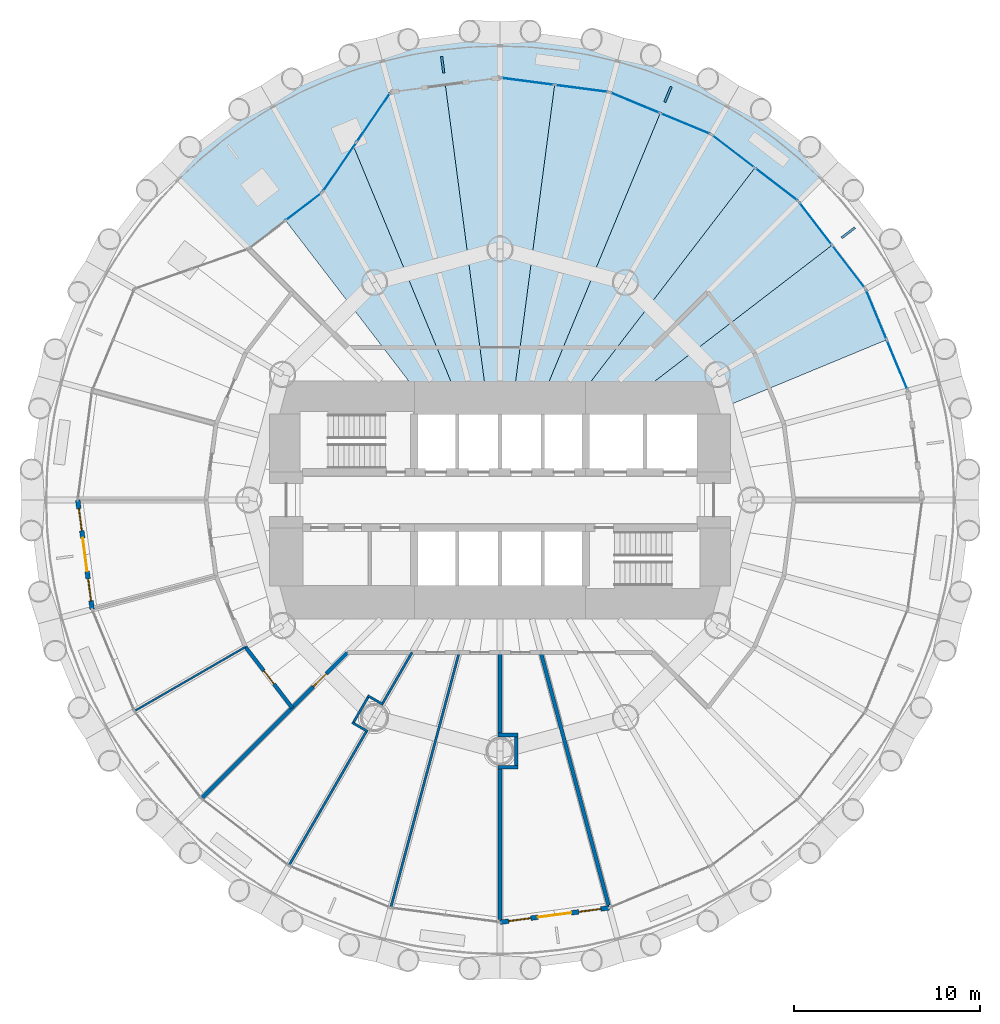
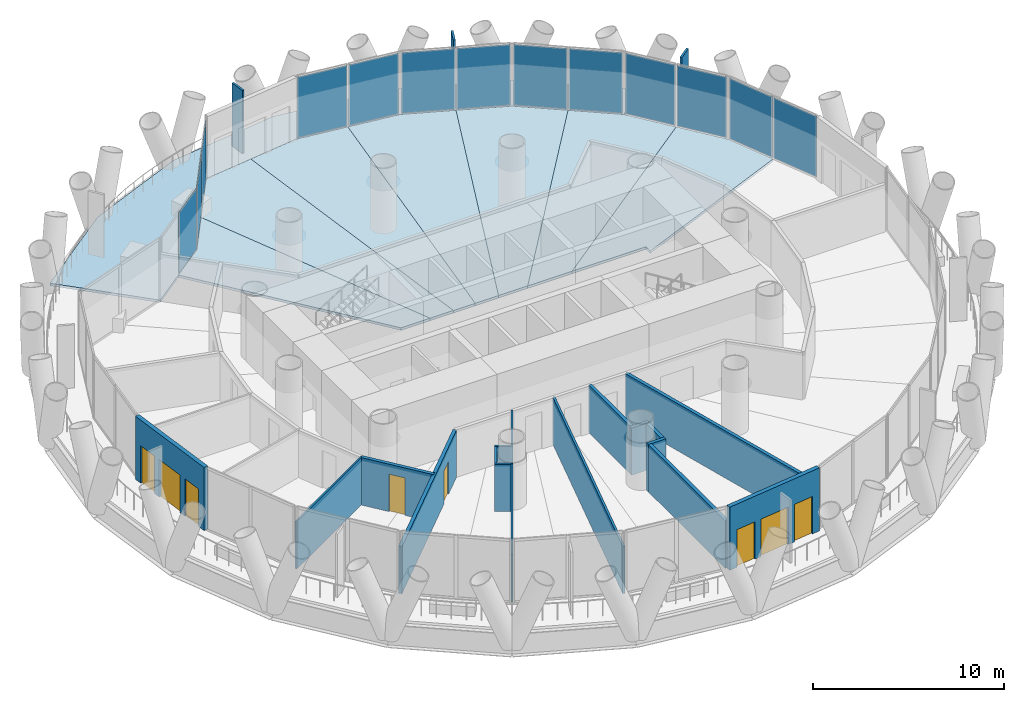
# One storey, part 8 of 14: 17 walls, 16 plates, 8 slabs, 4 doors, 4 windows, 8 openings, 7 elements without a shape of their own.
"""IFC4 building model written with IfcOpenShell, lengths in metres."""

from ifc_helpers import new_model, si_unit, direction, frame, frame_2d, origin, origin_2d, place, context, subcontext, project, spatial, polyline, rectangle, outline, extrude, material, layer, layer_set, type_object, element, fill, aggregate, save


model = new_model("IFC4")

# Units and contexts
model_context = context("Model", 3, precision=1e-05, world=origin(), true_north=direction((0.0, 1.0)))
body_context = subcontext(model_context, "Body", "Model", "MODEL_VIEW")
ifc_project = project(units=[si_unit("LENGTHUNIT", "METRE"), si_unit("AREAUNIT", "SQUARE_METRE"), si_unit("VOLUMEUNIT", "CUBIC_METRE"), si_unit("PLANEANGLEUNIT", "RADIAN"), si_unit("MASSUNIT", "GRAM", prefix="KILO")], contexts=[model_context])

# Site, building, storey
site_placement = place(None, origin())
site = spatial("IfcSite", under=ifc_project, at=site_placement, CompositionType="ELEMENT")
building_placement = place(site_placement, origin())
building = spatial("IfcBuilding", under=site, at=building_placement, Name="Qaws Media Tower", CompositionType="ELEMENT")
storey_placement = place(building_placement, frame((0.0, 0.0, 59.60009765625)))
storey = spatial("IfcBuildingStorey", under=building, at=storey_placement, Name="L12", CompositionType="ELEMENT", Elevation=59.60009765625)

# Slabs
ifc_material_1 = material(Name="Concrete C35/45", Category="concrete")
ifc_layer_1 = layer(ifc_material_1, 0.159912109375)
ifc_layer_set_1 = layer_set([ifc_layer_1], Name="Composite balcony slab 160")
slab_type_1 = type_object("IfcSlabType", Name="Composite balcony slab 160", PredefinedType="FLOOR", material=ifc_layer_set_1)
slab_1_placement = place(storey_placement, frame((0.0, 0.0, -0.16015625)))
element("IfcSlab", 1, at=slab_1_placement, inside=storey, type_object=slab_type_1, Name="S2 balcony slab L12 R04 to R10, movement joints on R04 and R10", PredefinedType="FLOOR", context=body_context, shape_type="SweptSolid", body=[
    extrude(outline(polyline([(47.449951171875, 71.7373046875), (53.503662109375, 74.24462890625), (60.0, 75.10009765625), (66.496337890625, 74.24462890625), (72.550048828125, 71.7373046875), (77.748291015625, 67.748291015625), (76.05126953125, 66.05126953125), (71.35009765625, 69.65869140625), (65.875244140625, 71.926513671875), (60.0, 72.699951171875), (54.124755859375, 71.926513671875), (50.449951171875, 66.541015625), (46.494384765625, 63.505615234375), (42.251708984375, 67.748291015625), (47.449951171875, 71.7373046875)])), origin(), (0.0, 0.0, 1.0), 0.16015625),
])
ifc_material_2 = material(Name="Concrete C35/45", Category="concrete")
ifc_layer_2 = layer(ifc_material_2, 0.159912109375)
ifc_layer_set_2 = layer_set([ifc_layer_2], Name="Composite floor slab 160")
slab_type_2 = type_object("IfcSlabType", Name="Composite floor slab 160", PredefinedType="FLOOR", material=ifc_layer_set_2)
slab_2_placement = place(storey_placement, frame((0.0, 0.0, -0.16015625)))
element("IfcSlab", 2, at=slab_2_placement, inside=storey, type_object=slab_type_2, Name="S1 floor panel L12 on R03", PredefinedType="FLOOR", context=body_context, shape_type="SweptSolid", body=[
    extrude(outline(polyline([(79.65869140625, 61.35009765625), (80.79248046875, 58.612548828125), (71.0, 54.556396484375), (71.0, 55.0), (66.51611328125, 55.0), (77.85498046875, 63.70068359375), (79.65869140625, 61.35009765625)])), origin(), (0.0, 0.0, 1.0), 0.16015625),
])
slab_3_placement = place(storey_placement, frame((0.0, 0.0, -0.16015625)))
element("IfcSlab", 3, at=slab_3_placement, inside=storey, type_object=slab_type_2, Name="S1 floor panel L12 on R04", PredefinedType="FLOOR", context=body_context, shape_type="SweptSolid", body=[
    extrude(outline(polyline([(76.05126953125, 66.05126953125), (77.85498046875, 63.70068359375), (66.51611328125, 55.0), (63.836669921875, 55.0), (73.70068359375, 67.85498046875), (76.05126953125, 66.05126953125)])), origin(), (0.0, 0.0, 1.0), 0.16015625),
])
slab_4_placement = place(storey_placement, frame((0.0, 0.0, -0.16015625)))
element("IfcSlab", 4, at=slab_4_placement, inside=storey, type_object=slab_type_2, Name="S1 floor panel L12 on R05", PredefinedType="FLOOR", context=body_context, shape_type="SweptSolid", body=[
    extrude(outline(polyline([(71.35009765625, 69.65869140625), (73.70068359375, 67.85498046875), (63.836669921875, 55.0), (62.071044921875, 55.0), (68.612548828125, 70.79248046875), (71.35009765625, 69.65869140625)])), origin(), (0.0, 0.0, 1.0), 0.16015625),
])
slab_5_placement = place(storey_placement, frame((0.0, 0.0, -0.16015625)))
element("IfcSlab", 5, at=slab_5_placement, inside=storey, type_object=slab_type_2, Name="S1 floor panel L12 on R06", PredefinedType="FLOOR", context=body_context, shape_type="SweptSolid", body=[
    extrude(outline(polyline([(65.875244140625, 71.926513671875), (68.612548828125, 70.79248046875), (62.071044921875, 55.0), (60.658203125, 55.0), (62.9375, 72.313232421875), (65.875244140625, 71.926513671875)])), origin(), (0.0, 0.0, 1.0), 0.16015625),
])
slab_6_placement = place(storey_placement, frame((0.0, 0.0, -0.16015625)))
element("IfcSlab", 6, at=slab_6_placement, inside=storey, type_object=slab_type_2, Name="S1 floor panel L12 on R07", PredefinedType="FLOOR", context=body_context, shape_type="SweptSolid", body=[
    extrude(outline(polyline([(60.0, 72.699951171875), (62.9375, 72.313232421875), (60.658203125, 55.0), (59.341796875, 55.0), (57.0625, 72.313232421875), (60.0, 72.699951171875)])), origin(), (0.0, 0.0, 1.0), 0.16015625),
])
slab_7_placement = place(storey_placement, frame((0.0, 0.0, -0.16015625)))
element("IfcSlab", 7, at=slab_7_placement, inside=storey, type_object=slab_type_2, Name="S1 floor panel L12 on R08", PredefinedType="FLOOR", context=body_context, shape_type="SweptSolid", body=[
    extrude(outline(polyline([(54.124755859375, 71.926513671875), (57.0625, 72.313232421875), (59.341796875, 55.0), (57.928955078125, 55.0), (52.129150390625, 69.001953125), (54.124755859375, 71.926513671875)])), origin(), (0.0, 0.0, 1.0), 0.16015625),
])
slab_8_placement = place(storey_placement, frame((0.0, 0.0, -0.16015625)))
element("IfcSlab", 8, at=slab_8_placement, inside=storey, type_object=slab_type_2, Name="S1 floor panel L12 on R09", PredefinedType="FLOOR", context=body_context, shape_type="SweptSolid", body=[
    extrude(outline(polyline([(50.449951171875, 66.541015625), (52.129150390625, 69.001953125), (57.928955078125, 55.0), (56.163330078125, 55.0), (48.47216796875, 65.0234375), (50.449951171875, 66.541015625)])), origin(), (0.0, 0.0, 1.0), 0.16015625),
])

# Curtain wall, plates
ifc_material_3 = material(Name="Aluminium and clear glass", Category="aluminium")
curtain_wall_type_1 = type_object("IfcCurtainWallType", Name="Unitised curtain wall CW-A", PredefinedType="NOTDEFINED", material=ifc_material_3)
curtain_wall_1_placement = place(storey_placement, origin())
curtain_wall_1 = element("IfcCurtainWall", 9, at=curtain_wall_1_placement, inside=storey, type_object=curtain_wall_type_1, Name="CWA curtain wall L12-02", PredefinedType="NOTDEFINED")
ifc_material_4 = material(Name="Clear laminated double glazing", Category="glass")
ifc_layer_3 = layer(ifc_material_4, 0.031982421875)
ifc_layer_set_3 = layer_set([ifc_layer_3], Name="Curtain wall glass unit 32")
plate_type_1 = type_object("IfcPlateType", Name="Curtain wall glass unit 32", PredefinedType="CURTAIN_PANEL", material=ifc_layer_set_3)
plate_1_placement = place(storey_placement, frame((81.351806640625, 57.262451171875, 0.080078125), z_axis=(0.0, 0.0, 1.0), x_axis=(-0.382683327941, 0.923879575765, 0.0)))
plate_1 = element("IfcPlate", 10, at=plate_1_placement, type_object=plate_type_1, Name="CWA panel 1.1", PredefinedType="CURTAIN_PANEL", context=body_context, shape_type="SweptSolid", body=[
    extrude(rectangle(XDim=2.843017578125, YDim=0.031982421875, at=origin_2d()), origin(), (0.0, 0.0, 1.0), 3.8798828125),
])
plate_2_placement = place(storey_placement, frame((80.2333984375, 59.962890625, 0.080078125), z_axis=(0.0, 0.0, 1.0), x_axis=(-0.382683327941, 0.923879575765, 0.0)))
plate_2 = element("IfcPlate", 11, at=plate_2_placement, type_object=plate_type_1, Name="CWA panel 2.1", PredefinedType="CURTAIN_PANEL", context=body_context, shape_type="SweptSolid", body=[
    extrude(rectangle(XDim=2.843017578125, YDim=0.031982421875, at=origin_2d()), origin(), (0.0, 0.0, 1.0), 3.8798828125),
])
aggregate(curtain_wall_1, [plate_1, plate_2])

curtain_wall_2_placement = place(storey_placement, origin())
curtain_wall_2 = element("IfcCurtainWall", 12, at=curtain_wall_2_placement, inside=storey, type_object=curtain_wall_type_1, Name="CWA curtain wall L12-03", PredefinedType="NOTDEFINED")
plate_3_placement = place(storey_placement, frame((78.74462890625, 62.541259765625, 0.080078125), z_axis=(0.0, 0.0, 1.0), x_axis=(-0.608761451911, 0.793353322718, 0.0)))
plate_3 = element("IfcPlate", 13, at=plate_3_placement, type_object=plate_type_1, Name="CWA panel 1.1", PredefinedType="CURTAIN_PANEL", context=body_context, shape_type="SweptSolid", body=[
    extrude(rectangle(XDim=2.843017578125, YDim=0.031982421875, at=origin_2d()), origin(), (0.0, 0.0, 1.0), 3.8798828125),
])
plate_4_placement = place(storey_placement, frame((76.96533203125, 64.860107421875, 0.080078125), z_axis=(0.0, 0.0, 1.0), x_axis=(-0.608761451911, 0.793353322718, 0.0)))
plate_4 = element("IfcPlate", 14, at=plate_4_placement, type_object=plate_type_1, Name="CWA panel 2.1", PredefinedType="CURTAIN_PANEL", context=body_context, shape_type="SweptSolid", body=[
    extrude(rectangle(XDim=2.843017578125, YDim=0.031982421875, at=origin_2d()), origin(), (0.0, 0.0, 1.0), 3.8798828125),
])
aggregate(curtain_wall_2, [plate_3, plate_4])

curtain_wall_3_placement = place(storey_placement, origin())
curtain_wall_3 = element("IfcCurtainWall", 15, at=curtain_wall_3_placement, inside=storey, type_object=curtain_wall_type_1, Name="CWA curtain wall L12-04", PredefinedType="NOTDEFINED")
plate_5_placement = place(storey_placement, frame((74.860107421875, 66.96533203125, 0.080078125), z_axis=(0.0, 0.0, 1.0), x_axis=(-0.793353322718, 0.608761451911, 0.0)))
plate_5 = element("IfcPlate", 16, at=plate_5_placement, type_object=plate_type_1, Name="CWA panel 1.1", PredefinedType="CURTAIN_PANEL", context=body_context, shape_type="SweptSolid", body=[
    extrude(rectangle(XDim=2.843017578125, YDim=0.031982421875, at=origin_2d()), origin(), (0.0, 0.0, 1.0), 3.8798828125),
])
plate_6_placement = place(storey_placement, frame((72.541259765625, 68.74462890625, 0.080078125), z_axis=(0.0, 0.0, 1.0), x_axis=(-0.793353322718, 0.608761451911, 0.0)))
plate_6 = element("IfcPlate", 17, at=plate_6_placement, type_object=plate_type_1, Name="CWA panel 2.1", PredefinedType="CURTAIN_PANEL", context=body_context, shape_type="SweptSolid", body=[
    extrude(rectangle(XDim=2.843017578125, YDim=0.031982421875, at=origin_2d()), origin(), (0.0, 0.0, 1.0), 3.8798828125),
])
aggregate(curtain_wall_3, [plate_5, plate_6])

curtain_wall_4_placement = place(storey_placement, origin())
curtain_wall_4 = element("IfcCurtainWall", 18, at=curtain_wall_4_placement, inside=storey, type_object=curtain_wall_type_1, Name="CWA curtain wall L12-05", PredefinedType="NOTDEFINED")
plate_7_placement = place(storey_placement, frame((69.962890625, 70.2333984375, 0.080078125), z_axis=(0.0, 0.0, 1.0), x_axis=(-0.923879575765, 0.382683327941, 0.0)))
plate_7 = element("IfcPlate", 19, at=plate_7_placement, type_object=plate_type_1, Name="CWA panel 1.1", PredefinedType="CURTAIN_PANEL", context=body_context, shape_type="SweptSolid", body=[
    extrude(rectangle(XDim=2.843017578125, YDim=0.031982421875, at=origin_2d()), origin(), (0.0, 0.0, 1.0), 3.8798828125),
])
plate_8_placement = place(storey_placement, frame((67.262451171875, 71.351806640625, 0.080078125), z_axis=(0.0, 0.0, 1.0), x_axis=(-0.923879575765, 0.382683327941, 0.0)))
plate_8 = element("IfcPlate", 20, at=plate_8_placement, type_object=plate_type_1, Name="CWA panel 2.1", PredefinedType="CURTAIN_PANEL", context=body_context, shape_type="SweptSolid", body=[
    extrude(rectangle(XDim=2.843017578125, YDim=0.031982421875, at=origin_2d()), origin(), (0.0, 0.0, 1.0), 3.8798828125),
])
aggregate(curtain_wall_4, [plate_7, plate_8])

curtain_wall_5_placement = place(storey_placement, origin())
curtain_wall_5 = element("IfcCurtainWall", 21, at=curtain_wall_5_placement, inside=storey, type_object=curtain_wall_type_1, Name="CWA curtain wall L12-06", PredefinedType="NOTDEFINED")
plate_9_placement = place(storey_placement, frame((64.386474609375, 72.12255859375, 0.080078125), z_axis=(0.0, 0.0, 1.0), x_axis=(-0.991444854836, 0.130526241882, 0.0)))
plate_9 = element("IfcPlate", 22, at=plate_9_placement, type_object=plate_type_1, Name="CWA panel 1.1", PredefinedType="CURTAIN_PANEL", context=body_context, shape_type="SweptSolid", body=[
    extrude(rectangle(XDim=2.843017578125, YDim=0.031982421875, at=origin_2d()), origin(), (0.0, 0.0, 1.0), 3.8798828125),
])
plate_10_placement = place(storey_placement, frame((61.488525390625, 72.50390625, 0.080078125), z_axis=(0.0, 0.0, 1.0), x_axis=(-0.991444854836, 0.130526241882, 0.0)))
plate_10 = element("IfcPlate", 23, at=plate_10_placement, type_object=plate_type_1, Name="CWA panel 2.1", PredefinedType="CURTAIN_PANEL", context=body_context, shape_type="SweptSolid", body=[
    extrude(rectangle(XDim=2.843017578125, YDim=0.031982421875, at=origin_2d()), origin(), (0.0, 0.0, 1.0), 3.8798828125),
])
aggregate(curtain_wall_5, [plate_9, plate_10])

ifc_material_5 = material(Name="Aluminium and clear glass", Category="aluminium")
curtain_wall_type_2 = type_object("IfcCurtainWallType", Name="Loggia curtain wall CW-G", PredefinedType="NOTDEFINED", material=ifc_material_5)
curtain_wall_6_placement = place(storey_placement, origin())
curtain_wall_6 = element("IfcCurtainWall", 24, at=curtain_wall_6_placement, inside=storey, type_object=curtain_wall_type_2, Name="CWG curtain wall L12-08", PredefinedType="NOTDEFINED")
plate_11_placement = place(storey_placement, frame((53.19482421875, 70.563720703125, 0.080078125), z_axis=(0.0, 0.0, 1.0), x_axis=(-0.563642863244, -0.826018597075, 0.0)))
plate_11 = element("IfcPlate", 25, at=plate_11_placement, type_object=plate_type_1, Name="CWG panel 1.1", PredefinedType="CURTAIN_PANEL", context=body_context, shape_type="SweptSolid", body=[
    extrude(rectangle(XDim=3.139892578125, YDim=0.031982421875, at=origin_2d()), origin(), (0.0, 0.0, 1.0), 3.8798828125),
])
plate_12_placement = place(storey_placement, frame((51.3798828125, 67.904052734375, 0.080078125), z_axis=(0.0, 0.0, 1.0), x_axis=(-0.563642863244, -0.826018597075, 0.0)))
plate_12 = element("IfcPlate", 26, at=plate_12_placement, type_object=plate_type_1, Name="CWG panel 2.1", PredefinedType="CURTAIN_PANEL", context=body_context, shape_type="SweptSolid", body=[
    extrude(rectangle(XDim=3.139892578125, YDim=0.031982421875, at=origin_2d()), origin(), (0.0, 0.0, 1.0), 3.8798828125),
])
aggregate(curtain_wall_6, [plate_11, plate_12])

# Curtain wall, plate
curtain_wall_7_placement = place(storey_placement, origin())
curtain_wall_7 = element("IfcCurtainWall", 27, at=curtain_wall_7_placement, inside=storey, type_object=curtain_wall_type_2, Name="CWG curtain wall L12-09", PredefinedType="NOTDEFINED")
plate_13_placement = place(storey_placement, frame((49.4453125, 65.77001953125, 0.080078125), z_axis=(0.0, 0.0, 1.0), x_axis=(-0.793353442906, -0.608761295278, 0.0)))
plate_13 = element("IfcPlate", 28, at=plate_13_placement, type_object=plate_type_1, Name="CWG panel 1.1", PredefinedType="CURTAIN_PANEL", context=body_context, shape_type="SweptSolid", body=[
    extrude(rectangle(XDim=2.373046875, YDim=0.031982421875, at=origin_2d()), origin(), (0.0, 0.0, 1.0), 3.8798828125),
])
aggregate(curtain_wall_7, [plate_13])

# Plates
ifc_material_6 = material(Name="Precast concrete screen fin", Category="concrete")
ifc_layer_4 = layer(ifc_material_6, 0.1201171875)
ifc_layer_set_4 = layer_set([ifc_layer_4], Name="Screen fin 120x900")
plate_type_2 = type_object("IfcPlateType", Name="Screen fin 120x900", PredefinedType="USERDEFINED", material=ifc_layer_set_4)
for number, where, z_axis, x_axis, name in (
    (29, (78.72314453125, 64.36669921875, 0.0), (0.0, 0.0, 1.0), (0.793353340291, 0.608761429009, 0.0), "SCR1 screen fin L12-02"),
    (30, (69.03125, 71.803466796875, 0.0), (0.0, 0.0, 1.0), (0.382683432365, 0.923879532511, 0.0), "SCR1 screen fin L12-03"),
    (31, (56.919677734375, 73.398193359375, 0.0), (0.0, 0.0, 1.0), (-0.13052619222, 0.991444861374, 0.0), "SCR1 screen fin L12-04"),
):
    element("IfcPlate", number, at=place(storey_placement, frame(where, z_axis=z_axis, x_axis=x_axis)), inside=storey, type_object=plate_type_2, Name=name, ObjectType="SCREEN", PredefinedType="USERDEFINED", context=body_context, shape_type="SweptSolid", body=[
        extrude(rectangle(XDim=0.89990234375, YDim=0.1201171875, at=origin_2d()), origin(), (0.0, 0.0, 1.0), 4.0400390625),
    ])

# Wall, openings, door, windows
ifc_material_7 = material(Name="Precast concrete, exposed finish", Category="concrete")
ifc_layer_5 = layer(ifc_material_7, 0.25)
ifc_layer_set_5 = layer_set([ifc_layer_5], Name="Balcony door wall 250")
wall_type_1 = type_object("IfcWallType", Name="Balcony door wall 250", PredefinedType="SOLIDWALL", material=ifc_layer_set_5)
wall_1_placement = place(storey_placement, frame((37.300048828125, 50.0, 0.0), z_axis=(0.0, 0.0, 1.0), x_axis=(0.130517390063, -0.99144602016, 0.0)))
wall_1 = element("IfcWall", 32, at=wall_1_placement, inside=storey, type_object=wall_type_1, Name="W137 EW1 balcony door wall L12-13", PredefinedType="SOLIDWALL", context=body_context, shape_type="SweptSolid", body=[
    extrude(rectangle(XDim=5.926025390625, YDim=0.25, at=frame_2d((2.962890625, 0.0))), origin(), (0.0, 0.0, 1.0), 4.039794921875),
])
opening_1_placement = place(wall_1_placement, frame((2.06298828125, 0.0, 0.0)))
opening_1 = element("IfcOpeningElement", 33, at=opening_1_placement, cuts=wall_1, Name="Opening D7", PredefinedType="OPENING", context=body_context, shape_type="SweptSolid", body=[
    extrude(rectangle(XDim=1.800048828125, YDim=2.39990234375, at=frame_2d((0.89990234375, 1.199951171875))), frame((0.0, 0.135009765625, 0.0), z_axis=(0.0, -1.0, 0.0), x_axis=(1.0, 0.0, 0.0)), (0.0, 0.0, 1.0), 0.27001953125),
])
opening_2_placement = place(wall_1_placement, frame((0.462890625, 0.0, 0.0)))
opening_2 = element("IfcOpeningElement", 34, at=opening_2_placement, cuts=wall_1, Name="Opening W1", PredefinedType="OPENING", context=body_context, shape_type="SweptSolid", body=[
    extrude(rectangle(XDim=1.199951171875, YDim=2.39990234375, at=frame_2d((0.60009765625, 1.199951171875))), frame((0.0, 0.135009765625, 0.0), z_axis=(0.0, -1.0, 0.0), x_axis=(1.0, 0.0, 0.0)), (0.0, 0.0, 1.0), 0.27001953125),
])
opening_3_placement = place(wall_1_placement, frame((4.262939453125, 0.0, 0.0)))
opening_3 = element("IfcOpeningElement", 35, at=opening_3_placement, cuts=wall_1, Name="Opening W1", PredefinedType="OPENING", context=body_context, shape_type="SweptSolid", body=[
    extrude(rectangle(XDim=1.199951171875, YDim=2.39990234375, at=frame_2d((0.60009765625, 1.199951171875))), frame((0.0, 0.135009765625, 0.0), z_axis=(0.0, -1.0, 0.0), x_axis=(1.0, 0.0, 0.0)), (0.0, 0.0, 1.0), 0.27001953125),
])
ifc_material_8 = material(Name="Aluminium and clear glass", Category="aluminium")
door_type_1 = type_object("IfcDoorType", Name="Balcony door pair 1800", OperationType="DOUBLE_DOOR_SLIDING", PredefinedType="DOOR", material=ifc_material_8)
door_1_placement = place(opening_1_placement, origin())
door_1 = element("IfcDoor", 36, at=door_1_placement, inside=storey, type_object=door_type_1, Name="D7 balcony door L12-13 in wall W137", OperationType="DOUBLE_DOOR_SLIDING", OverallHeight=2.39990234375, OverallWidth=1.800048828125, PredefinedType="DOOR", context=body_context, shape_type="SweptSolid", body=[
    extrude(rectangle(XDim=1.800048828125, YDim=2.39990234375, at=frame_2d((0.89990234375, 1.199951171875))), frame((0.0, 0.02490234375, 0.0), z_axis=(0.0, -1.0, 0.0), x_axis=(1.0, 0.0, 0.0)), (0.0, 0.0, 1.0), 0.050048828125),
])
fill(opening_1, door_1)
ifc_material_9 = material(Name="Aluminium and clear glass", Category="aluminium")
window_type = type_object("IfcWindowType", Name="Balcony side window 1200", PartitioningType="SINGLE_PANEL", PredefinedType="WINDOW", material=ifc_material_9)
window_1_placement = place(opening_2_placement, origin())
window_1 = element("IfcWindow", 37, at=window_1_placement, inside=storey, type_object=window_type, Name="W1 balcony side light L12-13L", OverallHeight=2.39990234375, OverallWidth=1.199951171875, PartitioningType="SINGLE_PANEL", PredefinedType="WINDOW", context=body_context, shape_type="SweptSolid", body=[
    extrude(rectangle(XDim=1.199951171875, YDim=2.39990234375, at=frame_2d((0.60009765625, 1.199951171875))), frame((0.0, 0.030029296875, 0.0), z_axis=(0.0, -1.0, 0.0), x_axis=(1.0, 0.0, 0.0)), (0.0, 0.0, 1.0), 0.06005859375),
])
fill(opening_2, window_1)
window_2_placement = place(opening_3_placement, origin())
window_2 = element("IfcWindow", 38, at=window_2_placement, inside=storey, type_object=window_type, Name="W1 balcony side light L12-13R", OverallHeight=2.39990234375, OverallWidth=1.199951171875, PartitioningType="SINGLE_PANEL", PredefinedType="WINDOW", context=body_context, shape_type="SweptSolid", body=[
    extrude(rectangle(XDim=1.199951171875, YDim=2.39990234375, at=frame_2d((0.60009765625, 1.199951171875))), frame((0.0, 0.030029296875, 0.0), z_axis=(0.0, -1.0, 0.0), x_axis=(1.0, 0.0, 0.0)), (0.0, 0.0, 1.0), 0.06005859375),
])
fill(opening_3, window_2)

wall_2_placement = place(storey_placement, frame((60.0, 27.300048828125, 0.0), z_axis=(0.0, 0.0, 1.0), x_axis=(0.99144602016, 0.130517390063, 0.0)))
wall_2 = element("IfcWall", 39, at=wall_2_placement, inside=storey, type_object=wall_type_1, Name="W138 EW1 balcony door wall L12-19", PredefinedType="SOLIDWALL", context=body_context, shape_type="SweptSolid", body=[
    extrude(rectangle(XDim=5.926025390625, YDim=0.25, at=frame_2d((2.962890625, 0.0))), origin(), (0.0, 0.0, 1.0), 4.039794921875),
])
opening_4_placement = place(wall_2_placement, frame((2.06298828125, 0.0, 0.0)))
opening_4 = element("IfcOpeningElement", 40, at=opening_4_placement, cuts=wall_2, Name="Opening D7", PredefinedType="OPENING", context=body_context, shape_type="SweptSolid", body=[
    extrude(rectangle(XDim=1.800048828125, YDim=2.39990234375, at=frame_2d((0.89990234375, 1.199951171875))), frame((0.0, 0.135009765625, 0.0), z_axis=(0.0, -1.0, 0.0), x_axis=(1.0, 0.0, 0.0)), (0.0, 0.0, 1.0), 0.27001953125),
])
opening_5_placement = place(wall_2_placement, frame((0.462890625, 0.0, 0.0)))
opening_5 = element("IfcOpeningElement", 41, at=opening_5_placement, cuts=wall_2, Name="Opening W1", PredefinedType="OPENING", context=body_context, shape_type="SweptSolid", body=[
    extrude(rectangle(XDim=1.199951171875, YDim=2.39990234375, at=frame_2d((0.60009765625, 1.199951171875))), frame((0.0, 0.135009765625, 0.0), z_axis=(0.0, -1.0, 0.0), x_axis=(1.0, 0.0, 0.0)), (0.0, 0.0, 1.0), 0.27001953125),
])
opening_6_placement = place(wall_2_placement, frame((4.262939453125, 0.0, 0.0)))
opening_6 = element("IfcOpeningElement", 42, at=opening_6_placement, cuts=wall_2, Name="Opening W1", PredefinedType="OPENING", context=body_context, shape_type="SweptSolid", body=[
    extrude(rectangle(XDim=1.199951171875, YDim=2.39990234375, at=frame_2d((0.60009765625, 1.199951171875))), frame((0.0, 0.135009765625, 0.0), z_axis=(0.0, -1.0, 0.0), x_axis=(1.0, 0.0, 0.0)), (0.0, 0.0, 1.0), 0.27001953125),
])
door_2_placement = place(opening_4_placement, origin())
door_2 = element("IfcDoor", 43, at=door_2_placement, inside=storey, type_object=door_type_1, Name="D7 balcony door L12-19 in wall W138", OperationType="DOUBLE_DOOR_SLIDING", OverallHeight=2.39990234375, OverallWidth=1.800048828125, PredefinedType="DOOR", context=body_context, shape_type="SweptSolid", body=[
    extrude(rectangle(XDim=1.800048828125, YDim=2.39990234375, at=frame_2d((0.89990234375, 1.199951171875))), frame((0.0, 0.02490234375, 0.0), z_axis=(0.0, -1.0, 0.0), x_axis=(1.0, 0.0, 0.0)), (0.0, 0.0, 1.0), 0.050048828125),
])
fill(opening_4, door_2)
window_3_placement = place(opening_5_placement, origin())
window_3 = element("IfcWindow", 44, at=window_3_placement, inside=storey, type_object=window_type, Name="W1 balcony side light L12-19L", OverallHeight=2.39990234375, OverallWidth=1.199951171875, PartitioningType="SINGLE_PANEL", PredefinedType="WINDOW", context=body_context, shape_type="SweptSolid", body=[
    extrude(rectangle(XDim=1.199951171875, YDim=2.39990234375, at=frame_2d((0.60009765625, 1.199951171875))), frame((0.0, 0.030029296875, 0.0), z_axis=(0.0, -1.0, 0.0), x_axis=(1.0, 0.0, 0.0)), (0.0, 0.0, 1.0), 0.06005859375),
])
fill(opening_5, window_3)
window_4_placement = place(opening_6_placement, origin())
window_4 = element("IfcWindow", 45, at=window_4_placement, inside=storey, type_object=window_type, Name="W1 balcony side light L12-19R", OverallHeight=2.39990234375, OverallWidth=1.199951171875, PartitioningType="SINGLE_PANEL", PredefinedType="WINDOW", context=body_context, shape_type="SweptSolid", body=[
    extrude(rectangle(XDim=1.199951171875, YDim=2.39990234375, at=frame_2d((0.60009765625, 1.199951171875))), frame((0.0, 0.030029296875, 0.0), z_axis=(0.0, -1.0, 0.0), x_axis=(1.0, 0.0, 0.0)), (0.0, 0.0, 1.0), 0.06005859375),
])
fill(opening_6, window_4)

# Walls
ifc_material_10 = material(Name="Two layers gypsum board each side on 75 studs, insulated", Category="gypsum")
ifc_layer_6 = layer(ifc_material_10, 0.125)
ifc_layer_set_6 = layer_set([ifc_layer_6], Name="Meeting room partition 125 Rw 48")
wall_type_2 = type_object("IfcWallType", Name="Meeting room partition 125 Rw 48", PredefinedType="PARTITIONING", material=ifc_layer_set_6)
for number, where, z_axis, x_axis, name in (
    (46, (53.720947265625, 38.999267578125, 0.0), (0.0, 0.0, 1.0), (-0.866110039299, 0.499853378327, 0.0), "W517 IW5 partition return L12"),
    (47, (52.887451171875, 37.5556640625, 0.0), (0.0, 0.0, 1.0), (-0.866110039299, 0.499853378327, 0.0), "W515 IW5 partition return L12"),
):
    element("IfcWall", number, at=place(storey_placement, frame(where, z_axis=z_axis, x_axis=x_axis)), inside=storey, type_object=wall_type_2, Name=name, PredefinedType="PARTITIONING", context=body_context, shape_type="SweptSolid", body=[
        extrude(rectangle(XDim=0.968505859375, YDim=0.125, at=frame_2d((0.484375, 0.0))), origin(), (0.0, 0.0, 1.0), 3.02001953125),
    ])
wall_3_placement = place(storey_placement, frame((52.905029296875, 39.398193359375, 0.0), z_axis=(0.0, 0.0, 1.0), x_axis=(-0.499987416453, -0.866032668777, 0.0)))
element("IfcWall", 48, at=wall_3_placement, inside=storey, type_object=wall_type_2, Name="W516 IW5 partition return L12", PredefinedType="PARTITIONING", context=body_context, shape_type="SweptSolid", body=[
    extrude(rectangle(XDim=1.5419921875, YDim=0.125, at=frame_2d((0.77099609375, 0.0))), origin(), (0.0, 0.0, 1.0), 3.02001953125),
])
wall_4_placement = place(storey_placement, frame((55.27001953125, 41.807373046875, 0.0), z_axis=(0.0, 0.0, 1.0), x_axis=(-0.500022702249, -0.866012296238, 0.0)))
element("IfcWall", 49, at=wall_4_placement, inside=storey, type_object=wall_type_2, Name="W518 IW5 partition L12", PredefinedType="PARTITIONING", context=body_context, shape_type="SweptSolid", body=[
    extrude(rectangle(XDim=3.143798828125, YDim=0.125, at=frame_2d((1.57177734375, 0.0))), origin(), (0.0, 0.0, 1.0), 3.039794921875),
])
wall_5_placement = place(storey_placement, frame((52.802001953125, 37.53271484375, 0.0), z_axis=(0.0, 0.0, 1.0), x_axis=(-0.500012279623, -0.866018314025, 0.0)))
element("IfcWall", 50, at=wall_5_placement, inside=storey, type_object=wall_type_2, Name="W520 IW5 partition L12", PredefinedType="PARTITIONING", context=body_context, shape_type="SweptSolid", body=[
    extrude(rectangle(XDim=8.263916015625, YDim=0.125, at=frame_2d((4.1318359375, 0.0))), origin(), (0.0, 0.0, 1.0), 3.039794921875),
])
wall_6_placement = place(storey_placement, frame((57.80517578125, 41.808837890625, 0.0), z_axis=(0.0, 0.0, 1.0), x_axis=(-0.258811244512, -0.965927916417, 0.0)))
element("IfcWall", 51, at=wall_6_placement, inside=storey, type_object=wall_type_2, Name="W521 IW5 partition L12", PredefinedType="PARTITIONING", context=body_context, shape_type="SweptSolid", body=[
    extrude(rectangle(XDim=14.179931640625, YDim=0.125, at=frame_2d((7.08984375, 0.0))), origin(), (0.0, 0.0, 1.0), 3.02001953125),
])
ifc_material_11 = material(Name="Gypsum board on 70 metal studs, single layer each side", Category="gypsum")
ifc_layer_7 = layer(ifc_material_11, 0.10009765625)
ifc_layer_set_7 = layer_set([ifc_layer_7], Name="Office stud partition 100")
wall_type_3 = type_object("IfcWallType", Name="Office stud partition 100", PredefinedType="PARTITIONING", material=ifc_layer_set_7)
wall_7_placement = place(storey_placement, frame((46.31689453125, 42.10009765625, 0.0), z_axis=(0.0, 0.0, 1.0), x_axis=(-0.86601371405, -0.500020246667, 0.0)))
element("IfcWall", 52, at=wall_7_placement, inside=storey, type_object=wall_type_3, Name="W642 IW4 partition L12", PredefinedType="PARTITIONING", context=body_context, shape_type="SweptSolid", body=[
    extrude(rectangle(XDim=6.860107421875, YDim=0.10009765625, at=frame_2d((3.43017578125, 0.0))), origin(), (0.0, 0.0, 1.0), 3.039794921875),
])

# Wall, opening, door
ifc_material_12 = material(Name="Gypsum board on galvanised metal studs, acoustic double stud, deflection head", Category="gypsum")
ifc_layer_8 = layer(ifc_material_12, 0.199951171875)
ifc_layer_set_8 = layer_set([ifc_layer_8], Name="Room partition 200")
wall_type_4 = type_object("IfcWallType", Name="Room partition 200", PredefinedType="PARTITIONING", material=ifc_layer_set_8)
wall_8_placement = place(storey_placement, frame((48.82763671875, 38.82763671875, 0.0), z_axis=(0.0, 0.0, 1.0), x_axis=(-0.608714823874, 0.793389099494, 0.0)))
wall_8 = element("IfcWall", 53, at=wall_8_placement, inside=storey, type_object=wall_type_4, Name="W948 IW3 partition L12", PredefinedType="PARTITIONING", context=body_context, shape_type="SweptSolid", body=[
    extrude(rectangle(XDim=4.124755859375, YDim=0.199951171875, at=frame_2d((2.0625, 0.0))), origin(), (0.0, 0.0, 1.0), 3.039794921875),
])
opening_7_placement = place(wall_8_placement, frame((1.6123046875, 0.0, 0.0)))
opening_7 = element("IfcOpeningElement", 54, at=opening_7_placement, cuts=wall_8, Name="Opening D12", PredefinedType="OPENING", context=body_context, shape_type="SweptSolid", body=[
    extrude(rectangle(XDim=0.89990234375, YDim=2.39990234375, at=frame_2d((0.449951171875, 1.199951171875))), frame((0.0, 0.10986328125, 0.0), z_axis=(0.0, -1.0, 0.0), x_axis=(1.0, 0.0, 0.0)), (0.0, 0.0, 1.0), 0.219970703125),
])
ifc_material_13 = material(Name="Timber veneered, full height", Category="wood")
door_type_2 = type_object("IfcDoorType", Name="Office door 900x2400", OperationType="SINGLE_SWING_LEFT", PredefinedType="DOOR", material=ifc_material_13)
door_3_placement = place(opening_7_placement, origin())
door_3 = element("IfcDoor", 55, at=door_3_placement, inside=storey, type_object=door_type_2, Name="D12 Editor's office door L12 in wall W948", OperationType="SINGLE_SWING_LEFT", OverallHeight=2.39990234375, OverallWidth=0.89990234375, PredefinedType="DOOR", context=body_context, shape_type="SweptSolid", body=[
    extrude(rectangle(XDim=0.89990234375, YDim=2.39990234375, at=frame_2d((0.449951171875, 1.199951171875))), frame((0.0, 0.02490234375, 0.0), z_axis=(0.0, -1.0, 0.0), x_axis=(1.0, 0.0, 0.0)), (0.0, 0.0, 1.0), 0.050048828125),
])
fill(opening_7, door_3)

wall_9_placement = place(storey_placement, frame((51.800048828125, 41.800048828125, 0.0), z_axis=(0.0, 0.0, 1.0), x_axis=(-0.707106781187, -0.707106781187, 0.0)))
wall_9 = element("IfcWall", 56, at=wall_9_placement, inside=storey, type_object=wall_type_4, Name="W1056 IW3 partition L12", PredefinedType="PARTITIONING", context=body_context, shape_type="SweptSolid", body=[
    extrude(rectangle(XDim=11.0634765625, YDim=0.199951171875, at=frame_2d((5.53173828125, 0.0))), origin(), (0.0, 0.0, 1.0), 3.02001953125),
])
opening_8_placement = place(wall_9_placement, frame((1.601806640625, 0.0, 0.0)))
opening_8 = element("IfcOpeningElement", 57, at=opening_8_placement, cuts=wall_9, Name="Opening D5", PredefinedType="OPENING", context=body_context, shape_type="SweptSolid", body=[
    extrude(rectangle(XDim=1.0, YDim=2.10009765625, at=frame_2d((0.5, 1.050048828125))), frame((0.0, 0.10986328125, 0.0), z_axis=(0.0, -1.0, 0.0), x_axis=(1.0, 0.0, 0.0)), (0.0, 0.0, 1.0), 0.219970703125),
])
ifc_material_14 = material(Name="Timber veneered, acoustic seal", Category="wood")
door_type_3 = type_object("IfcDoorType", Name="Room door 1000", OperationType="SINGLE_SWING_LEFT", PredefinedType="DOOR", material=ifc_material_14)
door_4_placement = place(opening_8_placement, origin())
door_4 = element("IfcDoor", 58, at=door_4_placement, inside=storey, type_object=door_type_3, Name="D5 Editors' meeting room door L12 in wall W1056", OperationType="SINGLE_SWING_LEFT", OverallHeight=2.10009765625, OverallWidth=1.0, PredefinedType="DOOR", context=body_context, shape_type="SweptSolid", body=[
    extrude(rectangle(XDim=1.0, YDim=2.10009765625, at=frame_2d((0.5, 1.050048828125))), frame((0.0, 0.02490234375, 0.0), z_axis=(0.0, -1.0, 0.0), x_axis=(1.0, 0.0, 0.0)), (0.0, 0.0, 1.0), 0.050048828125),
])
fill(opening_8, door_4)

# Walls
for number, where, z_axis, x_axis, name in (
    (59, (59.89990234375, 37.37109375, 0.0), (0.0, 0.0, 1.0), (1.0, 0.0, 0.0), "W1046 IW3 partition return L12"),
    (60, (59.89990234375, 35.62890625, 0.0), (0.0, 0.0, 1.0), (1.0, 0.0, 0.0), "W1045 IW3 partition return L12"),
):
    element("IfcWall", number, at=place(storey_placement, frame(where, z_axis=z_axis, x_axis=x_axis)), inside=storey, type_object=wall_type_4, Name=name, PredefinedType="PARTITIONING", context=body_context, shape_type="SweptSolid", body=[
        extrude(rectangle(XDim=1.0810546875, YDim=0.199951171875, at=frame_2d((0.54052734375, 0.0))), origin(), (0.0, 0.0, 1.0), 3.02001953125),
    ])
wall_10_placement = place(storey_placement, frame((60.881103515625, 37.27099609375, 0.0), z_axis=(0.0, 0.0, 1.0), x_axis=(0.0, -1.0, 0.0)))
element("IfcWall", 61, at=wall_10_placement, inside=storey, type_object=wall_type_4, Name="W1049 IW3 partition return L12", PredefinedType="PARTITIONING", context=body_context, shape_type="SweptSolid", body=[
    extrude(rectangle(XDim=1.5419921875, YDim=0.199951171875, at=frame_2d((0.77099609375, 0.0))), origin(), (0.0, 0.0, 1.0), 3.02001953125),
])
wall_11_placement = place(storey_placement, frame((60.0, 41.800048828125, 0.0), z_axis=(0.0, 0.0, 1.0), x_axis=(0.0, -1.0, 0.0)))
element("IfcWall", 62, at=wall_11_placement, inside=storey, type_object=wall_type_4, Name="W1048 IW3 partition L12", PredefinedType="PARTITIONING", context=body_context, shape_type="SweptSolid", body=[
    extrude(rectangle(XDim=4.3291015625, YDim=0.199951171875, at=frame_2d((2.16455078125, 0.0))), origin(), (0.0, 0.0, 1.0), 3.039794921875),
])
wall_12_placement = place(storey_placement, frame((60.0, 35.529052734375, 0.0), z_axis=(0.0, 0.0, 1.0), x_axis=(0.0, -1.0, 0.0)))
element("IfcWall", 63, at=wall_12_placement, inside=storey, type_object=wall_type_4, Name="W1058 IW3 partition L12", PredefinedType="PARTITIONING", context=body_context, shape_type="SweptSolid", body=[
    extrude(rectangle(XDim=8.089111328125, YDim=0.199951171875, at=frame_2d((4.04443359375, 0.0))), origin(), (0.0, 0.0, 1.0), 3.039794921875),
])
wall_13_placement = place(storey_placement, frame((62.19482421875, 41.808837890625, 0.0), z_axis=(0.0, 0.0, 1.0), x_axis=(0.258829112515, -0.965923128678, 0.0)))
element("IfcWall", 64, at=wall_13_placement, inside=storey, type_object=wall_type_4, Name="W1059 IW3 partition L12", PredefinedType="PARTITIONING", context=body_context, shape_type="SweptSolid", body=[
    extrude(rectangle(XDim=14.079833984375, YDim=0.199951171875, at=frame_2d((7.0400390625, 0.0))), origin(), (0.0, 0.0, 1.0), 3.02001953125),
])

save(model, "model.ifc")
